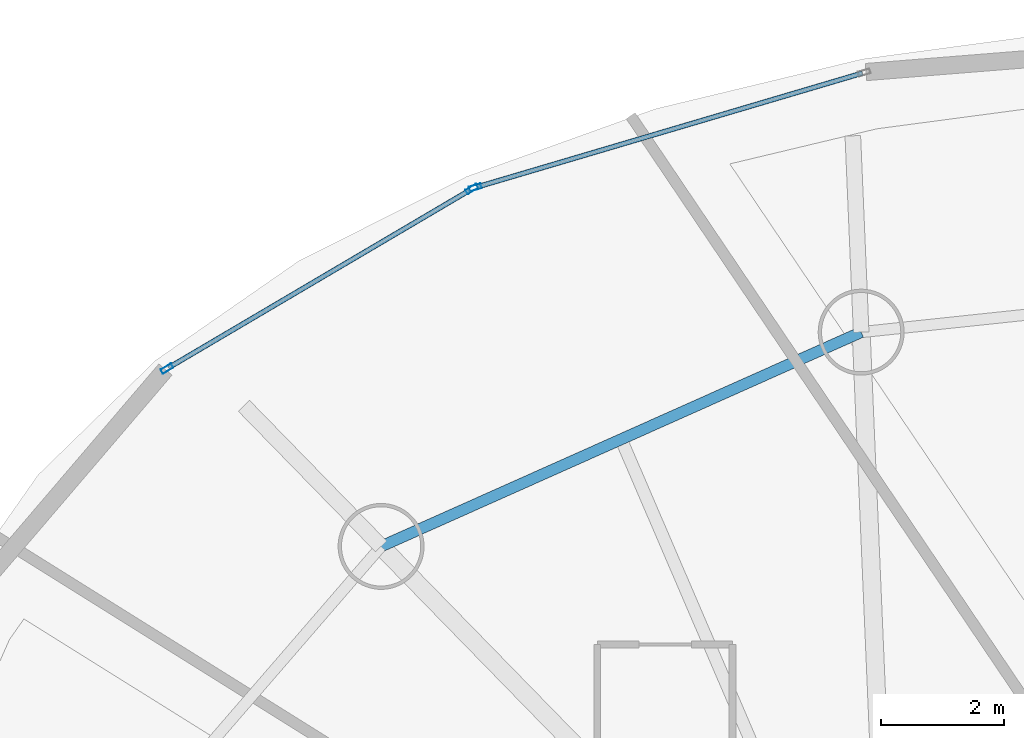
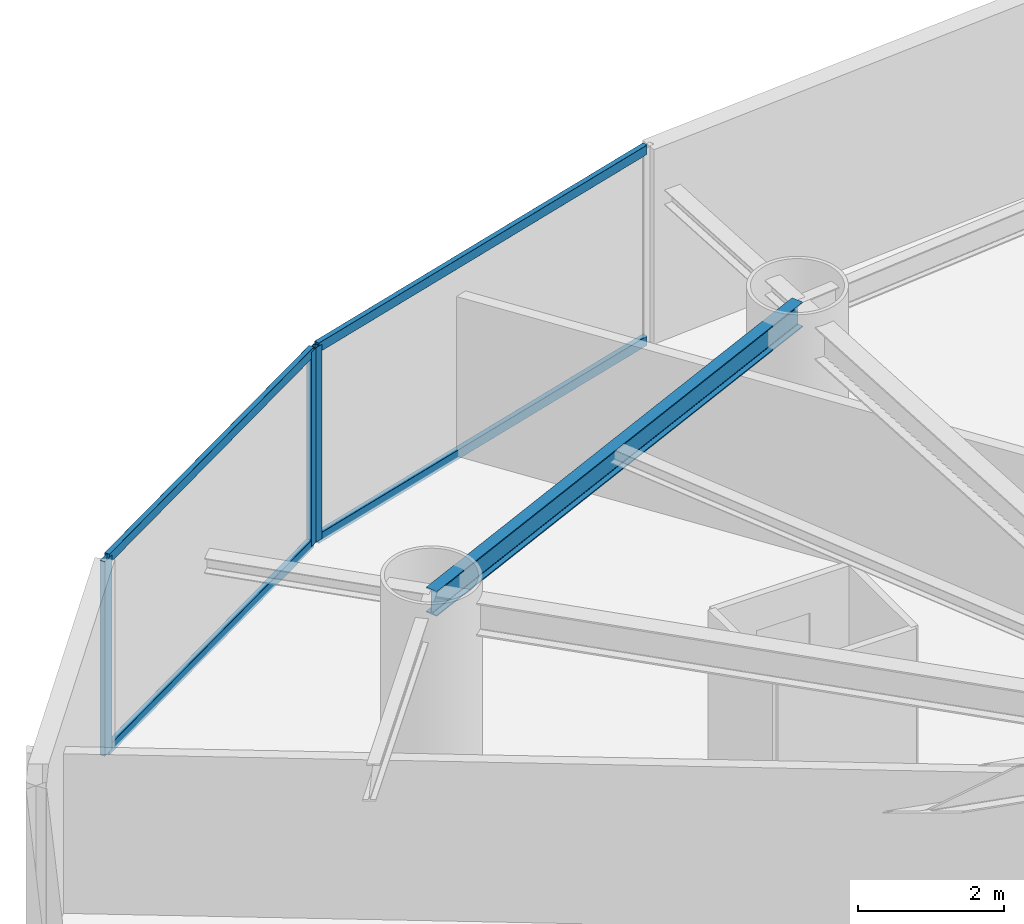
# One storey, part 11 of 24: 7 members, 1 beam, 2 elements without a shape of their own.
"""IFC4 building model written with IfcOpenShell, lengths in metres."""

from ifc_helpers import new_model, si_unit, direction, frame, origin, origin_2d, place, context, subcontext, project, spatial, hollow_rectangle, i_section, extrude, material, layer, layer_set, material_profile, profile_set, type_object, element, aggregate, save


model = new_model("IFC4")

# Units and contexts
model_context = context("Model", 3, precision=1e-05, world=origin(), true_north=direction((0.0, 1.0)))
body_context = subcontext(model_context, "Body", "Model", "MODEL_VIEW")
ifc_project = project(units=[si_unit("LENGTHUNIT", "METRE"), si_unit("AREAUNIT", "SQUARE_METRE"), si_unit("VOLUMEUNIT", "CUBIC_METRE"), si_unit("PLANEANGLEUNIT", "RADIAN"), si_unit("MASSUNIT", "GRAM", prefix="KILO")], contexts=[model_context])

# Site, building, storey
site_placement = place(None, origin())
site = spatial("IfcSite", under=ifc_project, at=site_placement, CompositionType="ELEMENT")
building_placement = place(site_placement, origin())
building = spatial("IfcBuilding", under=site, at=building_placement, Name="Bramvorn Convention Spire", CompositionType="ELEMENT")
storey_placement = place(building_placement, frame((0.0, 0.0, 148.300048828125)))
storey = spatial("IfcBuildingStorey", under=building, at=storey_placement, Name="L37", CompositionType="ELEMENT", Elevation=148.300048828125)

# Beam
ifc_material_1 = material(Name="Steel CSA G40.21 Grade 350 (350W)", Category="steel")
ifc_material_profile_1 = material_profile(ifc_material_1, i_section(OverallWidth=0.180908203125, OverallDepth=0.4169921875, WebThickness=0.010986328125, FlangeThickness=0.018310546875, FilletRadius=0.01611328125, at=origin_2d()))
ifc_profile_set_1 = profile_set([ifc_material_profile_1], Name="Steel CSA G40.21 Grade 350 (350W) - W410X85")
beam_type = type_object("IfcBeamType", Name="BM-W410X85", PredefinedType="JOIST", material=ifc_profile_set_1)
beam_placement = place(storey_placement, frame((26.23828125, 45.478759765625, 3.051513671875), z_axis=(-0.913169534701, -0.407579931908, 0.0), x_axis=(0.407579931908, -0.913169534701, 0.0)))
element("IfcBeam", 1, at=beam_placement, inside=storey, type_object=beam_type, Name="L37 mega-column ring beam 07", PredefinedType="JOIST", context=body_context, shape_type="SweptSolid", body=[
    extrude(i_section(OverallWidth=0.180908203125, OverallDepth=0.4169921875, WebThickness=0.010986328125, FlangeThickness=0.018310546875, FilletRadius=0.01611328125, at=origin_2d()), origin(), (0.0, 0.0, 1.0), 8.5615234375),
])

# Curtain wall, member
ifc_material_2 = material(Name="Anodised Bronze Unitised Curtain Wall", Category="aluminium")
ifc_layer = layer(ifc_material_2, 0.179931640625)
ifc_layer_set = layer_set([ifc_layer], Name="Anodised Bronze Unitised Curtain Wall - CW-HTL-FRIT")
curtain_wall_type = type_object("IfcCurtainWallType", Name="CW-HTL-FRIT", PredefinedType="USERDEFINED", material=ifc_layer_set)
curtain_wall_1_placement = place(storey_placement, origin())
curtain_wall_1 = element("IfcCurtainWall", 2, at=curtain_wall_1_placement, inside=storey, type_object=curtain_wall_type, Name="L37 fritted glass curtain wall 10", ObjectType="UNITISED CURTAIN WALL", PredefinedType="USERDEFINED")
ifc_material_3 = material(Name="Anodised Bronze Aluminium 6063-T6", Category="aluminium")
ifc_material_profile_2 = material_profile(ifc_material_3, hollow_rectangle(XDim=0.080078125, YDim=0.199951171875, WallThickness=0.00390625, InnerFilletRadius=0.0009765625, OuterFilletRadius=0.00390625, at=origin_2d()))
ifc_profile_set_2 = profile_set([ifc_material_profile_2], Name="Anodised Bronze Aluminium 6063-T6 - CWM80X200")
member_type_1 = type_object("IfcMemberType", Name="CW-MUL-180", PredefinedType="MULLION", material=ifc_profile_set_2)
member_1_placement = place(storey_placement, frame((19.953369140625, 47.833984375, 0.0), z_axis=(0.0, 0.0, 1.0), x_axis=(-0.283385342219, 0.959006125015, 0.0)))
member_1 = element("IfcMember", 3, at=member_1_placement, type_object=member_type_1, Name="CW2 mullion 1", PredefinedType="MULLION", context=body_context, shape_type="SweptSolid", body=[
    extrude(hollow_rectangle(XDim=0.080078125, YDim=0.199951171875, WallThickness=0.00390625, InnerFilletRadius=0.0009765625, OuterFilletRadius=0.00390625, at=origin_2d()), origin(), (0.0, 0.0, 1.0), 3.260009765625),
])

# Curtain wall, members
curtain_wall_2_placement = place(storey_placement, origin())
curtain_wall_2 = element("IfcCurtainWall", 4, at=curtain_wall_2_placement, inside=storey, type_object=curtain_wall_type, Name="L37 fritted glass curtain wall 11", ObjectType="UNITISED CURTAIN WALL", PredefinedType="USERDEFINED")
member_2_placement = place(storey_placement, frame((14.933837890625, 44.885009765625, 0.0), z_axis=(0.0, 0.0, 1.0), x_axis=(-0.507652698742, 0.8615618013, 0.0)))
member_2 = element("IfcMember", 5, at=member_2_placement, type_object=member_type_1, Name="CW2 mullion 1", PredefinedType="MULLION", context=body_context, shape_type="SweptSolid", body=[
    extrude(hollow_rectangle(XDim=0.080078125, YDim=0.199951171875, WallThickness=0.00390625, InnerFilletRadius=0.0009765625, OuterFilletRadius=0.00390625, at=origin_2d()), origin(), (0.0, 0.0, 1.0), 3.260009765625),
])
member_3_placement = place(storey_placement, frame((19.898681640625, 47.810302734375, 0.0), z_axis=(0.0, 0.0, 1.0), x_axis=(-0.507652698742, 0.8615618013, 0.0)))
member_3 = element("IfcMember", 6, at=member_3_placement, type_object=member_type_1, Name="CW2 mullion 2", PredefinedType="MULLION", context=body_context, shape_type="SweptSolid", body=[
    extrude(hollow_rectangle(XDim=0.080078125, YDim=0.199951171875, WallThickness=0.00390625, InnerFilletRadius=0.0009765625, OuterFilletRadius=0.00390625, at=origin_2d()), origin(), (0.0, 0.0, 1.0), 3.260009765625),
])

# Member
ifc_material_profile_3 = material_profile(ifc_material_3, hollow_rectangle(XDim=0.080078125, YDim=0.159912109375, WallThickness=0.00390625, InnerFilletRadius=0.0009765625, OuterFilletRadius=0.00390625, at=origin_2d()))
ifc_profile_set_3 = profile_set([ifc_material_profile_3], Name="Anodised Bronze Aluminium 6063-T6 - CWT80X160")
member_type_2 = type_object("IfcMemberType", Name="CW-TRN-150", PredefinedType="USERDEFINED", material=ifc_profile_set_3)
member_4_placement = place(storey_placement, frame((19.982177734375, 47.842529296875, 0.030029296875), z_axis=(0.9589988164, 0.283410074174, 0.0), x_axis=(-0.283410074174, 0.9589988164, 0.0)))
member_4 = element("IfcMember", 7, at=member_4_placement, type_object=member_type_2, Name="CW2 transom 1.1", ObjectType="TRANSOM", PredefinedType="USERDEFINED", context=body_context, shape_type="SweptSolid", body=[
    extrude(hollow_rectangle(XDim=0.080078125, YDim=0.159912109375, WallThickness=0.00390625, InnerFilletRadius=0.0009765625, OuterFilletRadius=0.00390625, at=origin_2d()), origin(), (0.0, 0.0, 1.0), 6.545166015625),
])

member_5_placement = place(storey_placement, frame((19.982177734375, 47.842529296875, 3.22998046875), z_axis=(0.9589988164, 0.283410074174, 0.0), x_axis=(-0.283410074174, 0.9589988164, 0.0)))
member_5 = element("IfcMember", 8, at=member_5_placement, type_object=member_type_2, Name="CW2 transom 1.2", ObjectType="TRANSOM", PredefinedType="USERDEFINED", context=body_context, shape_type="SweptSolid", body=[
    extrude(hollow_rectangle(XDim=0.080078125, YDim=0.159912109375, WallThickness=0.00390625, InnerFilletRadius=0.0009765625, OuterFilletRadius=0.00390625, at=origin_2d()), origin(), (0.0, 0.0, 1.0), 6.545166015625),
])

aggregate(curtain_wall_1, [member_1, member_4, member_5])

member_6_placement = place(storey_placement, frame((14.959716796875, 44.900146484375, 0.030029296875), z_axis=(0.861553174395, 0.507667339593, 0.0), x_axis=(-0.507667339593, 0.861553174395, 0.0)))
member_6 = element("IfcMember", 9, at=member_6_placement, type_object=member_type_2, Name="CW2 transom 1.1", ObjectType="TRANSOM", PredefinedType="USERDEFINED", context=body_context, shape_type="SweptSolid", body=[
    extrude(hollow_rectangle(XDim=0.080078125, YDim=0.159912109375, WallThickness=0.00390625, InnerFilletRadius=0.0009765625, OuterFilletRadius=0.00390625, at=origin_2d()), origin(), (0.0, 0.0, 1.0), 5.70263671875),
])

member_7_placement = place(storey_placement, frame((14.959716796875, 44.900146484375, 3.22998046875), z_axis=(0.861553174395, 0.507667339593, 0.0), x_axis=(-0.507667339593, 0.861553174395, 0.0)))
member_7 = element("IfcMember", 10, at=member_7_placement, type_object=member_type_2, Name="CW2 transom 1.2", ObjectType="TRANSOM", PredefinedType="USERDEFINED", context=body_context, shape_type="SweptSolid", body=[
    extrude(hollow_rectangle(XDim=0.080078125, YDim=0.159912109375, WallThickness=0.00390625, InnerFilletRadius=0.0009765625, OuterFilletRadius=0.00390625, at=origin_2d()), origin(), (0.0, 0.0, 1.0), 5.70263671875),
])

aggregate(curtain_wall_2, [member_2, member_3, member_6, member_7])

save(model, "model.ifc")
